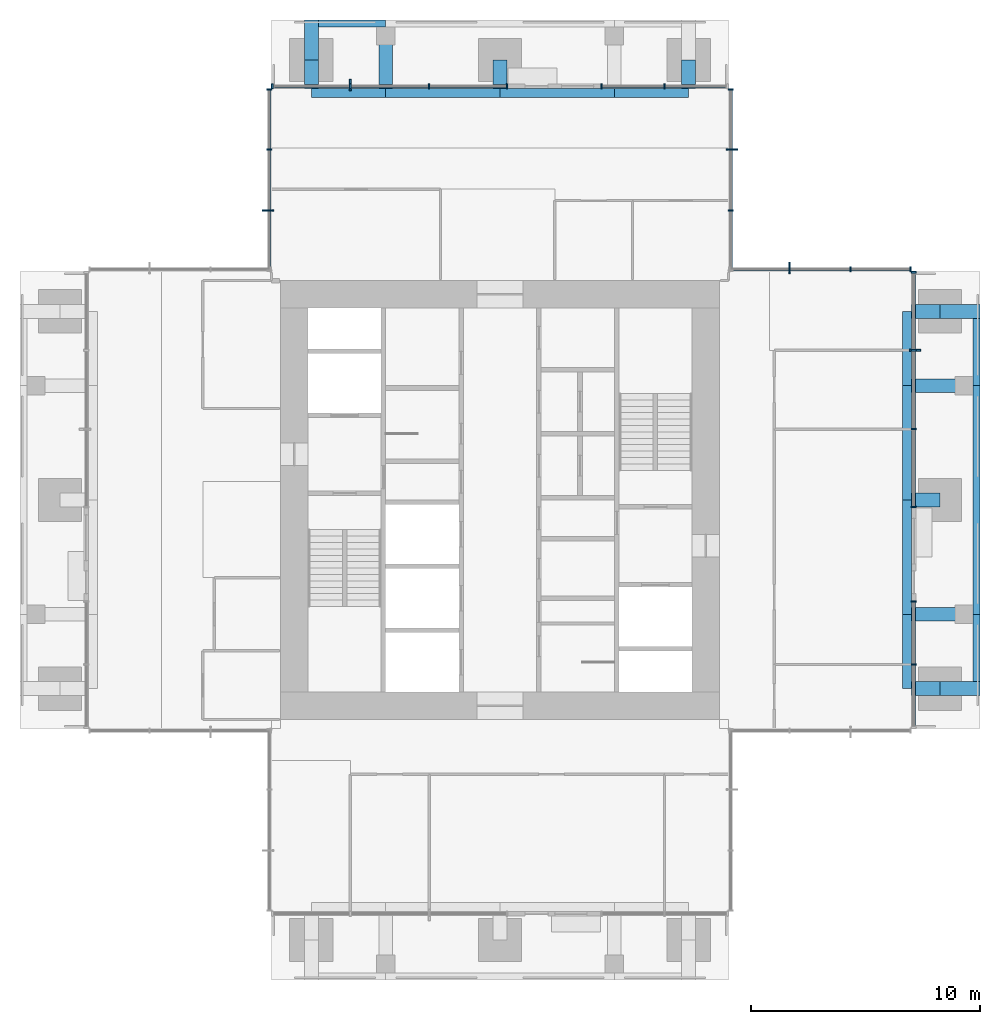
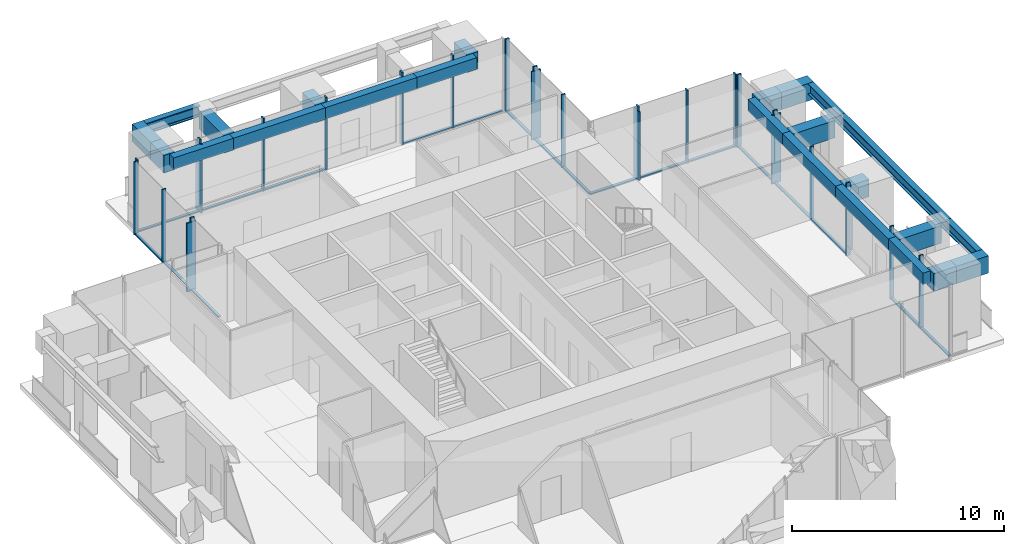
# One storey, part 4 of 12: 45 members, 24 beams, 7 elements without a shape of their own.
"""IFC4 building model written with IfcOpenShell, lengths in metres."""

from ifc_helpers import new_model, si_unit, direction, frame, origin, origin_2d, place, context, subcontext, project, spatial, rectangle, i_section, extrude, material, material_profile, profile_set, type_object, element, aggregate, save


model = new_model("IFC4")

# Units and contexts
model_context = context("Model", 3, precision=1e-05, world=origin(), true_north=direction((0.0, 1.0)))
body_context = subcontext(model_context, "Body", "Model", "MODEL_VIEW")
ifc_project = project(units=[si_unit("LENGTHUNIT", "METRE"), si_unit("AREAUNIT", "SQUARE_METRE"), si_unit("VOLUMEUNIT", "CUBIC_METRE"), si_unit("PLANEANGLEUNIT", "RADIAN"), si_unit("MASSUNIT", "GRAM", prefix="KILO")], contexts=[model_context])

# Site, building, storey
site_placement = place(None, origin())
site = spatial("IfcSite", under=ifc_project, at=site_placement, CompositionType="ELEMENT")
building_placement = place(site_placement, origin())
building = spatial("IfcBuilding", under=site, at=building_placement, Name="Svetlomir Tower", CompositionType="ELEMENT")
storey_placement = place(building_placement, frame((0.0, 0.0, 244.0)))
storey = spatial("IfcBuildingStorey", under=building, at=storey_placement, Name="L58", CompositionType="ELEMENT", Elevation=244.0)

# Curtain wall, member
ifc_material_1 = material(Name="Bronze anodised aluminium curtain wall", Category="aluminium")
curtain_wall_type = type_object("IfcCurtainWallType", Name="CURTAIN WALL CW4 EXECUTIVE", PredefinedType="NOTDEFINED", material=ifc_material_1)
curtain_wall_1_placement = place(storey_placement, origin())
curtain_wall_1 = element("IfcCurtainWall", 1, at=curtain_wall_1_placement, inside=storey, type_object=curtain_wall_type, Name="Curtain wall CW4 L58", PredefinedType="NOTDEFINED")
ifc_material_2 = material(Name="Bronze anodised aluminium", Category="aluminium")
ifc_material_profile_1 = material_profile(ifc_material_2, rectangle(XDim=0.080078125, YDim=0.5, at=origin_2d()), Name="FIN 80x500")
ifc_profile_set_1 = profile_set([ifc_material_profile_1], Name="Bronze anodised aluminium 6063-T6")
member_type_1 = type_object("IfcMemberType", Name="BRONZE FIN 80x500", PredefinedType="USERDEFINED", material=ifc_profile_set_1)
member_1_placement = place(storey_placement, frame((39.14990234375, 27.550048828125, 0.0), z_axis=(0.0, 0.0, 1.0), x_axis=(0.0, 1.0, 0.0)))
member_1 = element("IfcMember", 2, at=member_1_placement, type_object=member_type_1, Name="Bronze fin L58", ObjectType="FIN", PredefinedType="USERDEFINED", context=body_context, shape_type="SweptSolid", body=[
    extrude(rectangle(XDim=0.080078125, YDim=0.5, at=origin_2d()), origin(), (0.0, 0.0, 1.0), 3.949951171875),
])

curtain_wall_2_placement = place(storey_placement, origin())
curtain_wall_2 = element("IfcCurtainWall", 3, at=curtain_wall_2_placement, inside=storey, type_object=curtain_wall_type, Name="Curtain wall CW4 L58", PredefinedType="NOTDEFINED")
member_2_placement = place(storey_placement, frame((33.666748046875, 31.14990234375, 0.0), z_axis=(0.0, 0.0, 1.0), x_axis=(1.0, 0.0, 0.0)))
member_2 = element("IfcMember", 4, at=member_2_placement, type_object=member_type_1, Name="Bronze fin L58", ObjectType="FIN", PredefinedType="USERDEFINED", context=body_context, shape_type="SweptSolid", body=[
    extrude(rectangle(XDim=0.080078125, YDim=0.5, at=origin_2d()), origin(), (0.0, 0.0, 1.0), 3.949951171875),
])

curtain_wall_3_placement = place(storey_placement, origin())
curtain_wall_3 = element("IfcCurtainWall", 5, at=curtain_wall_3_placement, inside=storey, type_object=curtain_wall_type, Name="Curtain wall CW4 L58", PredefinedType="NOTDEFINED")
member_3_placement = place(storey_placement, frame((31.14990234375, 36.333251953125, 0.0), z_axis=(0.0, 0.0, 1.0), x_axis=(0.0, 1.0, 0.0)))
member_3 = element("IfcMember", 6, at=member_3_placement, type_object=member_type_1, Name="Bronze fin L58", ObjectType="FIN", PredefinedType="USERDEFINED", context=body_context, shape_type="SweptSolid", body=[
    extrude(rectangle(XDim=0.080078125, YDim=0.5, at=origin_2d()), origin(), (0.0, 0.0, 1.0), 3.949951171875),
])

curtain_wall_4_placement = place(storey_placement, origin())
curtain_wall_4 = element("IfcCurtainWall", 7, at=curtain_wall_4_placement, inside=storey, type_object=curtain_wall_type, Name="Curtain wall CW4 L58", PredefinedType="NOTDEFINED")
member_4_placement = place(storey_placement, frame((14.449951171875, 39.14990234375, 0.0), z_axis=(0.0, 0.0, 1.0), x_axis=(1.0, 0.0, 0.0)))
member_4 = element("IfcMember", 8, at=member_4_placement, type_object=member_type_1, Name="Bronze fin L58", ObjectType="FIN", PredefinedType="USERDEFINED", context=body_context, shape_type="SweptSolid", body=[
    extrude(rectangle(XDim=0.080078125, YDim=0.5, at=origin_2d()), origin(), (0.0, 0.0, 1.0), 3.949951171875),
])

curtain_wall_5_placement = place(storey_placement, origin())
curtain_wall_5 = element("IfcCurtainWall", 9, at=curtain_wall_5_placement, inside=storey, type_object=curtain_wall_type, Name="Curtain wall CW4 L58", PredefinedType="NOTDEFINED")
member_5_placement = place(storey_placement, frame((10.85009765625, 33.666748046875, 0.0), z_axis=(0.0, 0.0, 1.0), x_axis=(0.0, 1.0, 0.0)))
member_5 = element("IfcMember", 10, at=member_5_placement, type_object=member_type_1, Name="Bronze fin L58", ObjectType="FIN", PredefinedType="USERDEFINED", context=body_context, shape_type="SweptSolid", body=[
    extrude(rectangle(XDim=0.080078125, YDim=0.5, at=origin_2d()), origin(), (0.0, 0.0, 1.0), 3.949951171875),
])

# Curtain wall, members
curtain_wall_6_placement = place(storey_placement, origin())
curtain_wall_6 = element("IfcCurtainWall", 11, at=curtain_wall_6_placement, inside=storey, type_object=curtain_wall_type, Name="Curtain wall CW4 L58", PredefinedType="NOTDEFINED")
ifc_material_3 = material(Name="Bronze anodised aluminium", Category="aluminium")
ifc_material_profile_2 = material_profile(ifc_material_3, rectangle(XDim=0.074951171875, YDim=0.219970703125, at=origin_2d()), Name="AL 75x220")
ifc_profile_set_2 = profile_set([ifc_material_profile_2], Name="Bronze anodised aluminium 6063-T6")
member_type_2 = type_object("IfcMemberType", Name="CW4 MULLION 75x220", PredefinedType="MULLION", material=ifc_profile_set_2)
member_6_placement = place(storey_placement, frame((39.10009765625, 13.800048828125, 0.0), z_axis=(0.0, 0.0, 1.0), x_axis=(0.0, 1.0, 0.0)))
member_6 = element("IfcMember", 12, at=member_6_placement, type_object=member_type_2, Name="CW4 mullion 2", PredefinedType="MULLION", context=body_context, shape_type="SweptSolid", body=[
    extrude(rectangle(XDim=0.074951171875, YDim=0.219970703125, at=origin_2d()), origin(), (0.0, 0.0, 1.0), 4.199951171875),
])
member_7_placement = place(storey_placement, frame((39.10009765625, 16.5625, 0.0), z_axis=(0.0, 0.0, 1.0), x_axis=(0.0, 1.0, 0.0)))
member_7 = element("IfcMember", 13, at=member_7_placement, type_object=member_type_2, Name="CW4 mullion 3", PredefinedType="MULLION", context=body_context, shape_type="SweptSolid", body=[
    extrude(rectangle(XDim=0.074951171875, YDim=0.219970703125, at=origin_2d()), origin(), (0.0, 0.0, 1.0), 4.199951171875),
])

# Member
member_8_placement = place(storey_placement, frame((39.10009765625, 20.6875, 0.0), z_axis=(0.0, 0.0, 1.0), x_axis=(0.0, 1.0, 0.0)))
member_8 = element("IfcMember", 14, at=member_8_placement, type_object=member_type_2, Name="CW4 mullion 1", PredefinedType="MULLION", context=body_context, shape_type="SweptSolid", body=[
    extrude(rectangle(XDim=0.074951171875, YDim=0.219970703125, at=origin_2d()), origin(), (0.0, 0.0, 1.0), 4.199951171875),
])

member_9_placement = place(storey_placement, frame((39.10009765625, 24.10009765625, 0.0), z_axis=(0.0, 0.0, 1.0), x_axis=(0.0, 1.0, 0.0)))
member_9 = element("IfcMember", 15, at=member_9_placement, type_object=member_type_2, Name="CW4 mullion 2", PredefinedType="MULLION", context=body_context, shape_type="SweptSolid", body=[
    extrude(rectangle(XDim=0.074951171875, YDim=0.219970703125, at=origin_2d()), origin(), (0.0, 0.0, 1.0), 4.199951171875),
])

member_10_placement = place(storey_placement, frame((39.10009765625, 27.550048828125, 0.0), z_axis=(0.0, 0.0, 1.0), x_axis=(0.0, 1.0, 0.0)))
member_10 = element("IfcMember", 16, at=member_10_placement, type_object=member_type_2, Name="CW4 mullion 3", PredefinedType="MULLION", context=body_context, shape_type="SweptSolid", body=[
    extrude(rectangle(XDim=0.074951171875, YDim=0.219970703125, at=origin_2d()), origin(), (0.0, 0.0, 1.0), 4.199951171875),
])

member_11_placement = place(storey_placement, frame((39.10009765625, 30.96240234375, 0.0), z_axis=(0.0, 0.0, 1.0), x_axis=(0.0, 1.0, 0.0)))
member_11 = element("IfcMember", 17, at=member_11_placement, type_object=member_type_2, Name="CW4 mullion 4", PredefinedType="MULLION", context=body_context, shape_type="SweptSolid", body=[
    extrude(rectangle(XDim=0.074951171875, YDim=0.219970703125, at=origin_2d()), origin(), (0.0, 0.0, 1.0), 4.199951171875),
])

member_12_placement = place(storey_placement, frame((38.96240234375, 31.10009765625, 0.0), z_axis=(0.0, 0.0, 1.0), x_axis=(-1.0, 0.0, 0.0)))
member_12 = element("IfcMember", 18, at=member_12_placement, type_object=member_type_2, Name="CW4 mullion 1", PredefinedType="MULLION", context=body_context, shape_type="SweptSolid", body=[
    extrude(rectangle(XDim=0.074951171875, YDim=0.219970703125, at=origin_2d()), origin(), (0.0, 0.0, 1.0), 4.199951171875),
])

member_13_placement = place(storey_placement, frame((36.333251953125, 31.10009765625, 0.0), z_axis=(0.0, 0.0, 1.0), x_axis=(-1.0, 0.0, 0.0)))
member_13 = element("IfcMember", 19, at=member_13_placement, type_object=member_type_2, Name="CW4 mullion 2", PredefinedType="MULLION", context=body_context, shape_type="SweptSolid", body=[
    extrude(rectangle(XDim=0.074951171875, YDim=0.219970703125, at=origin_2d()), origin(), (0.0, 0.0, 1.0), 4.199951171875),
])

member_14_placement = place(storey_placement, frame((33.666748046875, 31.10009765625, 0.0), z_axis=(0.0, 0.0, 1.0), x_axis=(-1.0, 0.0, 0.0)))
member_14 = element("IfcMember", 20, at=member_14_placement, type_object=member_type_2, Name="CW4 mullion 3", PredefinedType="MULLION", context=body_context, shape_type="SweptSolid", body=[
    extrude(rectangle(XDim=0.074951171875, YDim=0.219970703125, at=origin_2d()), origin(), (0.0, 0.0, 1.0), 4.199951171875),
])

member_15_placement = place(storey_placement, frame((31.10009765625, 33.666748046875, 0.0), z_axis=(0.0, 0.0, 1.0), x_axis=(0.0, 1.0, 0.0)))
member_15 = element("IfcMember", 21, at=member_15_placement, type_object=member_type_2, Name="CW4 mullion 2", PredefinedType="MULLION", context=body_context, shape_type="SweptSolid", body=[
    extrude(rectangle(XDim=0.074951171875, YDim=0.219970703125, at=origin_2d()), origin(), (0.0, 0.0, 1.0), 4.199951171875),
])

member_16_placement = place(storey_placement, frame((31.10009765625, 36.333251953125, 0.0), z_axis=(0.0, 0.0, 1.0), x_axis=(0.0, 1.0, 0.0)))
member_16 = element("IfcMember", 22, at=member_16_placement, type_object=member_type_2, Name="CW4 mullion 3", PredefinedType="MULLION", context=body_context, shape_type="SweptSolid", body=[
    extrude(rectangle(XDim=0.074951171875, YDim=0.219970703125, at=origin_2d()), origin(), (0.0, 0.0, 1.0), 4.199951171875),
])

member_17_placement = place(storey_placement, frame((31.10009765625, 38.96240234375, 0.0), z_axis=(0.0, 0.0, 1.0), x_axis=(0.0, 1.0, 0.0)))
member_17 = element("IfcMember", 23, at=member_17_placement, type_object=member_type_2, Name="CW4 mullion 4", PredefinedType="MULLION", context=body_context, shape_type="SweptSolid", body=[
    extrude(rectangle(XDim=0.074951171875, YDim=0.219970703125, at=origin_2d()), origin(), (0.0, 0.0, 1.0), 4.199951171875),
])

# Curtain wall, members
curtain_wall_7_placement = place(storey_placement, origin())
curtain_wall_7 = element("IfcCurtainWall", 24, at=curtain_wall_7_placement, inside=storey, type_object=curtain_wall_type, Name="Curtain wall CW4 L58", PredefinedType="NOTDEFINED")
member_18_placement = place(storey_placement, frame((28.199951171875, 39.10009765625, 0.0), z_axis=(0.0, 0.0, 1.0), x_axis=(-1.0, 0.0, 0.0)))
member_18 = element("IfcMember", 25, at=member_18_placement, type_object=member_type_2, Name="CW4 mullion 2", PredefinedType="MULLION", context=body_context, shape_type="SweptSolid", body=[
    extrude(rectangle(XDim=0.074951171875, YDim=0.219970703125, at=origin_2d()), origin(), (0.0, 0.0, 1.0), 4.199951171875),
])
member_19_placement = place(storey_placement, frame((25.4375, 39.10009765625, 0.0), z_axis=(0.0, 0.0, 1.0), x_axis=(-1.0, 0.0, 0.0)))
member_19 = element("IfcMember", 26, at=member_19_placement, type_object=member_type_2, Name="CW4 mullion 3", PredefinedType="MULLION", context=body_context, shape_type="SweptSolid", body=[
    extrude(rectangle(XDim=0.074951171875, YDim=0.219970703125, at=origin_2d()), origin(), (0.0, 0.0, 1.0), 4.199951171875),
])

# Member
member_20_placement = place(storey_placement, frame((21.3125, 39.10009765625, 0.0), z_axis=(0.0, 0.0, 1.0), x_axis=(-1.0, 0.0, 0.0)))
member_20 = element("IfcMember", 27, at=member_20_placement, type_object=member_type_2, Name="CW4 mullion 1", PredefinedType="MULLION", context=body_context, shape_type="SweptSolid", body=[
    extrude(rectangle(XDim=0.074951171875, YDim=0.219970703125, at=origin_2d()), origin(), (0.0, 0.0, 1.0), 4.199951171875),
])

member_21_placement = place(storey_placement, frame((17.89990234375, 39.10009765625, 0.0), z_axis=(0.0, 0.0, 1.0), x_axis=(-1.0, 0.0, 0.0)))
member_21 = element("IfcMember", 28, at=member_21_placement, type_object=member_type_2, Name="CW4 mullion 2", PredefinedType="MULLION", context=body_context, shape_type="SweptSolid", body=[
    extrude(rectangle(XDim=0.074951171875, YDim=0.219970703125, at=origin_2d()), origin(), (0.0, 0.0, 1.0), 4.199951171875),
])

member_22_placement = place(storey_placement, frame((14.449951171875, 39.10009765625, 0.0), z_axis=(0.0, 0.0, 1.0), x_axis=(-1.0, 0.0, 0.0)))
member_22 = element("IfcMember", 29, at=member_22_placement, type_object=member_type_2, Name="CW4 mullion 3", PredefinedType="MULLION", context=body_context, shape_type="SweptSolid", body=[
    extrude(rectangle(XDim=0.074951171875, YDim=0.219970703125, at=origin_2d()), origin(), (0.0, 0.0, 1.0), 4.199951171875),
])

member_23_placement = place(storey_placement, frame((11.03759765625, 39.10009765625, 0.0), z_axis=(0.0, 0.0, 1.0), x_axis=(-1.0, 0.0, 0.0)))
member_23 = element("IfcMember", 30, at=member_23_placement, type_object=member_type_2, Name="CW4 mullion 4", PredefinedType="MULLION", context=body_context, shape_type="SweptSolid", body=[
    extrude(rectangle(XDim=0.074951171875, YDim=0.219970703125, at=origin_2d()), origin(), (0.0, 0.0, 1.0), 4.199951171875),
])

member_24_placement = place(storey_placement, frame((10.89990234375, 38.96240234375, 0.0), z_axis=(0.0, 0.0, 1.0), x_axis=(0.0, -1.0, 0.0)))
member_24 = element("IfcMember", 31, at=member_24_placement, type_object=member_type_2, Name="CW4 mullion 1", PredefinedType="MULLION", context=body_context, shape_type="SweptSolid", body=[
    extrude(rectangle(XDim=0.074951171875, YDim=0.219970703125, at=origin_2d()), origin(), (0.0, 0.0, 1.0), 4.199951171875),
])

member_25_placement = place(storey_placement, frame((10.89990234375, 36.333251953125, 0.0), z_axis=(0.0, 0.0, 1.0), x_axis=(0.0, -1.0, 0.0)))
member_25 = element("IfcMember", 32, at=member_25_placement, type_object=member_type_2, Name="CW4 mullion 2", PredefinedType="MULLION", context=body_context, shape_type="SweptSolid", body=[
    extrude(rectangle(XDim=0.074951171875, YDim=0.219970703125, at=origin_2d()), origin(), (0.0, 0.0, 1.0), 4.199951171875),
])

member_26_placement = place(storey_placement, frame((10.89990234375, 33.666748046875, 0.0), z_axis=(0.0, 0.0, 1.0), x_axis=(0.0, -1.0, 0.0)))
member_26 = element("IfcMember", 33, at=member_26_placement, type_object=member_type_2, Name="CW4 mullion 3", PredefinedType="MULLION", context=body_context, shape_type="SweptSolid", body=[
    extrude(rectangle(XDim=0.074951171875, YDim=0.219970703125, at=origin_2d()), origin(), (0.0, 0.0, 1.0), 4.199951171875),
])

ifc_material_4 = material(Name="Bronze anodised aluminium", Category="aluminium")
ifc_material_profile_3 = material_profile(ifc_material_4, rectangle(XDim=0.14990234375, YDim=0.074951171875, at=origin_2d()), Name="AL 150x75")
ifc_profile_set_3 = profile_set([ifc_material_profile_3], Name="Bronze anodised aluminium 6063-T6")
member_type_3 = type_object("IfcMemberType", Name="CW4 TRANSOM 75x150", PredefinedType="USERDEFINED", material=ifc_profile_set_3)
member_27_placement = place(storey_placement, frame((39.10009765625, 11.074951171875, 0.03759765625), z_axis=(0.0, 1.0, 0.0), x_axis=(-1.0, 0.0, 0.0)))
member_27 = element("IfcMember", 34, at=member_27_placement, type_object=member_type_3, Name="CW4 transom 1.1", ObjectType="TRANSOM", PredefinedType="USERDEFINED", context=body_context, shape_type="SweptSolid", body=[
    extrude(rectangle(XDim=0.14990234375, YDim=0.074951171875, at=origin_2d()), origin(), (0.0, 0.0, 1.0), 2.6875),
])

member_28_placement = place(storey_placement, frame((39.10009765625, 13.83740234375, 0.03759765625), z_axis=(0.0, 1.0, 0.0), x_axis=(-1.0, 0.0, 0.0)))
member_28 = element("IfcMember", 35, at=member_28_placement, type_object=member_type_3, Name="CW4 transom 2.1", ObjectType="TRANSOM", PredefinedType="USERDEFINED", context=body_context, shape_type="SweptSolid", body=[
    extrude(rectangle(XDim=0.14990234375, YDim=0.074951171875, at=origin_2d()), origin(), (0.0, 0.0, 1.0), 2.6875),
])

aggregate(curtain_wall_6, [member_6, member_7, member_27, member_28])

member_29_placement = place(storey_placement, frame((39.10009765625, 20.72509765625, 0.03759765625), z_axis=(0.0, 1.0, 0.0), x_axis=(-1.0, 0.0, 0.0)))
member_29 = element("IfcMember", 36, at=member_29_placement, type_object=member_type_3, Name="CW4 transom 1.1", ObjectType="TRANSOM", PredefinedType="USERDEFINED", context=body_context, shape_type="SweptSolid", body=[
    extrude(rectangle(XDim=0.14990234375, YDim=0.074951171875, at=origin_2d()), origin(), (0.0, 0.0, 1.0), 3.33740234375),
])

member_30_placement = place(storey_placement, frame((39.10009765625, 24.137451171875, 0.03759765625), z_axis=(0.0, 1.0, 0.0), x_axis=(-1.0, 0.0, 0.0)))
member_30 = element("IfcMember", 37, at=member_30_placement, type_object=member_type_3, Name="CW4 transom 2.1", ObjectType="TRANSOM", PredefinedType="USERDEFINED", context=body_context, shape_type="SweptSolid", body=[
    extrude(rectangle(XDim=0.14990234375, YDim=0.074951171875, at=origin_2d()), origin(), (0.0, 0.0, 1.0), 3.375),
])

member_31_placement = place(storey_placement, frame((39.10009765625, 27.58740234375, 0.03759765625), z_axis=(0.0, 1.0, 0.0), x_axis=(-1.0, 0.0, 0.0)))
member_31 = element("IfcMember", 38, at=member_31_placement, type_object=member_type_3, Name="CW4 transom 3.1", ObjectType="TRANSOM", PredefinedType="USERDEFINED", context=body_context, shape_type="SweptSolid", body=[
    extrude(rectangle(XDim=0.14990234375, YDim=0.074951171875, at=origin_2d()), origin(), (0.0, 0.0, 1.0), 3.337646484375),
])

aggregate(curtain_wall_1, [member_8, member_9, member_10, member_11, member_29, member_30, member_31, member_1])

member_32_placement = place(storey_placement, frame((38.925048828125, 31.10009765625, 0.03759765625), z_axis=(-1.0, 0.0, 0.0), x_axis=(0.0, -1.0, 0.0)))
member_32 = element("IfcMember", 39, at=member_32_placement, type_object=member_type_3, Name="CW4 transom 1.1", ObjectType="TRANSOM", PredefinedType="USERDEFINED", context=body_context, shape_type="SweptSolid", body=[
    extrude(rectangle(XDim=0.14990234375, YDim=0.074951171875, at=origin_2d()), origin(), (0.0, 0.0, 1.0), 2.55419921875),
])

member_33_placement = place(storey_placement, frame((36.2958984375, 31.10009765625, 0.03759765625), z_axis=(-1.0, 0.0, 0.0), x_axis=(0.0, -1.0, 0.0)))
member_33 = element("IfcMember", 40, at=member_33_placement, type_object=member_type_3, Name="CW4 transom 2.1", ObjectType="TRANSOM", PredefinedType="USERDEFINED", context=body_context, shape_type="SweptSolid", body=[
    extrude(rectangle(XDim=0.14990234375, YDim=0.074951171875, at=origin_2d()), origin(), (0.0, 0.0, 1.0), 2.591796875),
])

member_34_placement = place(storey_placement, frame((33.629150390625, 31.10009765625, 0.03759765625), z_axis=(-1.0, 0.0, 0.0), x_axis=(0.0, -1.0, 0.0)))
member_34 = element("IfcMember", 41, at=member_34_placement, type_object=member_type_3, Name="CW4 transom 3.1", ObjectType="TRANSOM", PredefinedType="USERDEFINED", context=body_context, shape_type="SweptSolid", body=[
    extrude(rectangle(XDim=0.14990234375, YDim=0.074951171875, at=origin_2d()), origin(), (0.0, 0.0, 1.0), 2.55419921875),
])

aggregate(curtain_wall_2, [member_12, member_13, member_14, member_32, member_33, member_34, member_2])

member_35_placement = place(storey_placement, frame((31.10009765625, 31.074951171875, 0.03759765625), z_axis=(0.0, 1.0, 0.0), x_axis=(-1.0, 0.0, 0.0)))
member_35 = element("IfcMember", 42, at=member_35_placement, type_object=member_type_3, Name="CW4 transom 1.1", ObjectType="TRANSOM", PredefinedType="USERDEFINED", context=body_context, shape_type="SweptSolid", body=[
    extrude(rectangle(XDim=0.14990234375, YDim=0.074951171875, at=origin_2d()), origin(), (0.0, 0.0, 1.0), 2.55419921875),
])

member_36_placement = place(storey_placement, frame((31.10009765625, 33.7041015625, 0.03759765625), z_axis=(0.0, 1.0, 0.0), x_axis=(-1.0, 0.0, 0.0)))
member_36 = element("IfcMember", 43, at=member_36_placement, type_object=member_type_3, Name="CW4 transom 2.1", ObjectType="TRANSOM", PredefinedType="USERDEFINED", context=body_context, shape_type="SweptSolid", body=[
    extrude(rectangle(XDim=0.14990234375, YDim=0.074951171875, at=origin_2d()), origin(), (0.0, 0.0, 1.0), 2.591796875),
])

member_37_placement = place(storey_placement, frame((31.10009765625, 36.370849609375, 0.03759765625), z_axis=(0.0, 1.0, 0.0), x_axis=(-1.0, 0.0, 0.0)))
member_37 = element("IfcMember", 44, at=member_37_placement, type_object=member_type_3, Name="CW4 transom 3.1", ObjectType="TRANSOM", PredefinedType="USERDEFINED", context=body_context, shape_type="SweptSolid", body=[
    extrude(rectangle(XDim=0.14990234375, YDim=0.074951171875, at=origin_2d()), origin(), (0.0, 0.0, 1.0), 2.55419921875),
])

aggregate(curtain_wall_3, [member_15, member_16, member_17, member_35, member_36, member_37, member_3])

member_38_placement = place(storey_placement, frame((30.925048828125, 39.10009765625, 0.03759765625), z_axis=(-1.0, 0.0, 0.0), x_axis=(0.0, -1.0, 0.0)))
member_38 = element("IfcMember", 45, at=member_38_placement, type_object=member_type_3, Name="CW4 transom 1.1", ObjectType="TRANSOM", PredefinedType="USERDEFINED", context=body_context, shape_type="SweptSolid", body=[
    extrude(rectangle(XDim=0.14990234375, YDim=0.074951171875, at=origin_2d()), origin(), (0.0, 0.0, 1.0), 2.6875),
])

member_39_placement = place(storey_placement, frame((28.16259765625, 39.10009765625, 0.03759765625), z_axis=(-1.0, 0.0, 0.0), x_axis=(0.0, -1.0, 0.0)))
member_39 = element("IfcMember", 46, at=member_39_placement, type_object=member_type_3, Name="CW4 transom 2.1", ObjectType="TRANSOM", PredefinedType="USERDEFINED", context=body_context, shape_type="SweptSolid", body=[
    extrude(rectangle(XDim=0.14990234375, YDim=0.074951171875, at=origin_2d()), origin(), (0.0, 0.0, 1.0), 2.6875),
])

aggregate(curtain_wall_7, [member_18, member_19, member_38, member_39])

member_40_placement = place(storey_placement, frame((21.27490234375, 39.10009765625, 0.03759765625), z_axis=(-1.0, 0.0, 0.0), x_axis=(0.0, -1.0, 0.0)))
member_40 = element("IfcMember", 47, at=member_40_placement, type_object=member_type_3, Name="CW4 transom 1.1", ObjectType="TRANSOM", PredefinedType="USERDEFINED", context=body_context, shape_type="SweptSolid", body=[
    extrude(rectangle(XDim=0.14990234375, YDim=0.074951171875, at=origin_2d()), origin(), (0.0, 0.0, 1.0), 3.33740234375),
])

member_41_placement = place(storey_placement, frame((17.862548828125, 39.10009765625, 0.03759765625), z_axis=(-1.0, 0.0, 0.0), x_axis=(0.0, -1.0, 0.0)))
member_41 = element("IfcMember", 48, at=member_41_placement, type_object=member_type_3, Name="CW4 transom 2.1", ObjectType="TRANSOM", PredefinedType="USERDEFINED", context=body_context, shape_type="SweptSolid", body=[
    extrude(rectangle(XDim=0.14990234375, YDim=0.074951171875, at=origin_2d()), origin(), (0.0, 0.0, 1.0), 3.375),
])

member_42_placement = place(storey_placement, frame((14.41259765625, 39.10009765625, 0.03759765625), z_axis=(-1.0, 0.0, 0.0), x_axis=(0.0, -1.0, 0.0)))
member_42 = element("IfcMember", 49, at=member_42_placement, type_object=member_type_3, Name="CW4 transom 3.1", ObjectType="TRANSOM", PredefinedType="USERDEFINED", context=body_context, shape_type="SweptSolid", body=[
    extrude(rectangle(XDim=0.14990234375, YDim=0.074951171875, at=origin_2d()), origin(), (0.0, 0.0, 1.0), 3.337646484375),
])

aggregate(curtain_wall_4, [member_20, member_21, member_22, member_23, member_40, member_41, member_42, member_4])

member_43_placement = place(storey_placement, frame((10.89990234375, 38.925048828125, 0.03759765625), z_axis=(0.0, -1.0, 0.0), x_axis=(1.0, 0.0, 0.0)))
member_43 = element("IfcMember", 50, at=member_43_placement, type_object=member_type_3, Name="CW4 transom 1.1", ObjectType="TRANSOM", PredefinedType="USERDEFINED", context=body_context, shape_type="SweptSolid", body=[
    extrude(rectangle(XDim=0.14990234375, YDim=0.074951171875, at=origin_2d()), origin(), (0.0, 0.0, 1.0), 2.55419921875),
])

member_44_placement = place(storey_placement, frame((10.89990234375, 36.2958984375, 0.03759765625), z_axis=(0.0, -1.0, 0.0), x_axis=(1.0, 0.0, 0.0)))
member_44 = element("IfcMember", 51, at=member_44_placement, type_object=member_type_3, Name="CW4 transom 2.1", ObjectType="TRANSOM", PredefinedType="USERDEFINED", context=body_context, shape_type="SweptSolid", body=[
    extrude(rectangle(XDim=0.14990234375, YDim=0.074951171875, at=origin_2d()), origin(), (0.0, 0.0, 1.0), 2.591796875),
])

member_45_placement = place(storey_placement, frame((10.89990234375, 33.629150390625, 0.03759765625), z_axis=(0.0, -1.0, 0.0), x_axis=(1.0, 0.0, 0.0)))
member_45 = element("IfcMember", 52, at=member_45_placement, type_object=member_type_3, Name="CW4 transom 3.1", ObjectType="TRANSOM", PredefinedType="USERDEFINED", context=body_context, shape_type="SweptSolid", body=[
    extrude(rectangle(XDim=0.14990234375, YDim=0.074951171875, at=origin_2d()), origin(), (0.0, 0.0, 1.0), 2.55419921875),
])

aggregate(curtain_wall_5, [member_24, member_25, member_26, member_43, member_44, member_45, member_5])

# Beams
ifc_material_5 = material(Name="Steel S355", Category="steel")
ifc_material_profile_4 = material_profile(ifc_material_5, i_section(OverallWidth=0.304931640625, OverallDepth=0.6201171875, WebThickness=0.02099609375, FlangeThickness=0.0400390625, FilletRadius=0.027099609375, at=origin_2d()), Name="HEM 600")
ifc_profile_set_4 = profile_set([ifc_material_profile_4], Name="Steel S355")
beam_type_1 = type_object("IfcBeamType", Name="EDGE BEAM HEM 600", PredefinedType="SPANDREL", material=ifc_profile_set_4)
for number, where, z_axis, x_axis, name in (
    (53, (41.847412109375, 13.050048828125, 3.639892578125), (0.0, 1.0, 0.0), (-1.0, 0.0, 0.0), "Edge beam 42/11 to 42/16 under L59"),
    (54, (13.050048828125, 41.847412109375, 3.639892578125), (1.0, 0.0, 0.0), (0.0, 1.0, 0.0), "Edge beam 11/42 to 16/42 under L59"),
):
    element("IfcBeam", number, at=place(storey_placement, frame(where, z_axis=z_axis, x_axis=x_axis)), inside=storey, type_object=beam_type_1, Name=name, PredefinedType="SPANDREL", context=body_context, shape_type="SweptSolid", body=[
        extrude(i_section(OverallWidth=0.304931640625, OverallDepth=0.6201171875, WebThickness=0.02099609375, FlangeThickness=0.0400390625, FilletRadius=0.027099609375, at=origin_2d()), origin(), (0.0, 0.0, 1.0), 2.949951171875),
    ])
beam_1_placement = place(storey_placement, frame((41.847412109375, 16.0, 3.639892578125), z_axis=(0.0, 1.0, 0.0), x_axis=(-1.0, 0.0, 0.0)))
element("IfcBeam", 55, at=beam_1_placement, inside=storey, type_object=beam_type_1, Name="Edge beam 42/16 to 42/26 under L59", PredefinedType="SPANDREL", context=body_context, shape_type="SweptSolid", body=[
    extrude(i_section(OverallWidth=0.304931640625, OverallDepth=0.6201171875, WebThickness=0.02099609375, FlangeThickness=0.0400390625, FilletRadius=0.027099609375, at=origin_2d()), origin(), (0.0, 0.0, 1.0), 10.0),
])
beam_2_placement = place(storey_placement, frame((41.847412109375, 26.0, 3.639892578125), z_axis=(0.0, 1.0, 0.0), x_axis=(-1.0, 0.0, 0.0)))
element("IfcBeam", 56, at=beam_2_placement, inside=storey, type_object=beam_type_1, Name="Edge beam 42/26 to 42/31 under L59", PredefinedType="SPANDREL", context=body_context, shape_type="SweptSolid", body=[
    extrude(i_section(OverallWidth=0.304931640625, OverallDepth=0.6201171875, WebThickness=0.02099609375, FlangeThickness=0.0400390625, FilletRadius=0.027099609375, at=origin_2d()), origin(), (0.0, 0.0, 1.0), 2.949951171875),
])
ifc_material_6 = material(Name="Concrete C60/75", Category="concrete")
ifc_material_profile_5 = material_profile(ifc_material_6, rectangle(XDim=0.60009765625, YDim=1.0, at=origin_2d()), Name="RC 600x1000")
ifc_profile_set_5 = profile_set([ifc_material_profile_5], Name="Concrete C60/75")
beam_type_2 = type_object("IfcBeamType", Name="EDGE LINK BEAM RC 600x1000", PredefinedType="BEAM", material=ifc_profile_set_5)
for number, where, z_axis, x_axis, name in (
    (57, (12.75, 40.25, 3.449951171875), (0.0, 1.0, 0.0), (-1.0, 0.0, 0.0), "Edge link beam N 11/42 under L59"),
    (58, (40.25, 12.75, 3.449951171875), (1.0, 0.0, 0.0), (0.0, 1.0, 0.0), "Edge link beam E 42/11 under L59"),
    (59, (40.25, 29.25, 3.449951171875), (1.0, 0.0, 0.0), (0.0, 1.0, 0.0), "Edge link beam E 42/31 under L59"),
):
    element("IfcBeam", number, at=place(storey_placement, frame(where, z_axis=z_axis, x_axis=x_axis)), inside=storey, type_object=beam_type_2, Name=name, PredefinedType="BEAM", context=body_context, shape_type="SweptSolid", body=[
        extrude(rectangle(XDim=0.60009765625, YDim=1.0, at=origin_2d()), origin(), (0.0, 0.0, 1.0), 1.75),
    ])
ifc_material_7 = material(Name="Concrete C60/75", Category="concrete")
ifc_material_profile_6 = material_profile(ifc_material_7, rectangle(XDim=0.39990234375, YDim=0.64990234375, at=origin_2d()), Name="RC 400x650")
ifc_profile_set_6 = profile_set([ifc_material_profile_6], Name="Concrete C60/75")
beam_type_3 = type_object("IfcBeamType", Name="FACADE EDGE BEAM RC 400x650", PredefinedType="BEAM", material=ifc_profile_set_6)
beam_3_placement = place(storey_placement, frame((12.75, 38.800048828125, 3.625), z_axis=(1.0, 0.0, 0.0), x_axis=(0.0, 1.0, 0.0)))
element("IfcBeam", 60, at=beam_3_placement, inside=storey, type_object=beam_type_3, Name="Facade edge beam N 11 to 16 under L59", PredefinedType="BEAM", context=body_context, shape_type="SweptSolid", body=[
    extrude(rectangle(XDim=0.39990234375, YDim=0.64990234375, at=origin_2d()), origin(), (0.0, 0.0, 1.0), 3.25),
])
for number, where, z_axis, x_axis, name in (
    (61, (16.0, 38.800048828125, 3.625), (1.0, 0.0, 0.0), (0.0, 1.0, 0.0), "Facade edge beam N 16 to 21 under L59"),
    (62, (21.0, 38.800048828125, 3.625), (1.0, 0.0, 0.0), (0.0, 1.0, 0.0), "Facade edge beam N 21 to 26 under L59"),
):
    element("IfcBeam", number, at=place(storey_placement, frame(where, z_axis=z_axis, x_axis=x_axis)), inside=storey, type_object=beam_type_3, Name=name, PredefinedType="BEAM", context=body_context, shape_type="SweptSolid", body=[
        extrude(rectangle(XDim=0.39990234375, YDim=0.64990234375, at=origin_2d()), origin(), (0.0, 0.0, 1.0), 5.0),
    ])
for number, where, z_axis, x_axis, name in (
    (63, (26.0, 38.800048828125, 3.625), (1.0, 0.0, 0.0), (0.0, 1.0, 0.0), "Facade edge beam N 26 to 31 under L59"),
    (64, (38.800048828125, 12.75, 3.625), (0.0, 1.0, 0.0), (-1.0, 0.0, 0.0), "Facade edge beam E 11 to 16 under L59"),
):
    element("IfcBeam", number, at=place(storey_placement, frame(where, z_axis=z_axis, x_axis=x_axis)), inside=storey, type_object=beam_type_3, Name=name, PredefinedType="BEAM", context=body_context, shape_type="SweptSolid", body=[
        extrude(rectangle(XDim=0.39990234375, YDim=0.64990234375, at=origin_2d()), origin(), (0.0, 0.0, 1.0), 3.25),
    ])
for number, where, z_axis, x_axis, name in (
    (65, (38.800048828125, 16.0, 3.625), (0.0, 1.0, 0.0), (-1.0, 0.0, 0.0), "Facade edge beam E 16 to 21 under L59"),
    (66, (38.800048828125, 21.0, 3.625), (0.0, 1.0, 0.0), (-1.0, 0.0, 0.0), "Facade edge beam E 21 to 26 under L59"),
):
    element("IfcBeam", number, at=place(storey_placement, frame(where, z_axis=z_axis, x_axis=x_axis)), inside=storey, type_object=beam_type_3, Name=name, PredefinedType="BEAM", context=body_context, shape_type="SweptSolid", body=[
        extrude(rectangle(XDim=0.39990234375, YDim=0.64990234375, at=origin_2d()), origin(), (0.0, 0.0, 1.0), 5.0),
    ])
beam_4_placement = place(storey_placement, frame((38.800048828125, 26.0, 3.625), z_axis=(0.0, 1.0, 0.0), x_axis=(-1.0, 0.0, 0.0)))
element("IfcBeam", 67, at=beam_4_placement, inside=storey, type_object=beam_type_3, Name="Facade edge beam E 26 to 31 under L59", PredefinedType="BEAM", context=body_context, shape_type="SweptSolid", body=[
    extrude(rectangle(XDim=0.39990234375, YDim=0.64990234375, at=origin_2d()), origin(), (0.0, 0.0, 1.0), 3.25),
])
ifc_material_8 = material(Name="Concrete C60/75", Category="concrete")
ifc_material_profile_7 = material_profile(ifc_material_8, rectangle(XDim=0.60009765625, YDim=1.0, at=origin_2d()), Name="RC 600x1000")
ifc_profile_set_7 = profile_set([ifc_material_profile_7], Name="Concrete C60/75")
beam_type_4 = type_object("IfcBeamType", Name="LOGGIA LINK BEAM RC 600x1000", PredefinedType="BEAM", material=ifc_profile_set_7)
beam_5_placement = place(storey_placement, frame((12.75, 40.25, 3.449951171875), z_axis=(0.0, -1.0, 0.0), x_axis=(1.0, 0.0, 0.0)))
element("IfcBeam", 68, at=beam_5_placement, inside=storey, type_object=beam_type_4, Name="Loggia link beam N 11 under L59", PredefinedType="BEAM", context=body_context, shape_type="SweptSolid", body=[
    extrude(rectangle(XDim=0.60009765625, YDim=1.0, at=origin_2d()), origin(), (0.0, 0.0, 1.0), 1.25),
])
beam_6_placement = place(storey_placement, frame((16.0, 41.300048828125, 3.449951171875), z_axis=(0.0, -1.0, 0.0), x_axis=(1.0, 0.0, 0.0)))
element("IfcBeam", 69, at=beam_6_placement, inside=storey, type_object=beam_type_4, Name="Loggia link beam N 16 under L59", PredefinedType="BEAM", context=body_context, shape_type="SweptSolid", body=[
    extrude(rectangle(XDim=0.60009765625, YDim=1.0, at=origin_2d()), origin(), (0.0, 0.0, 1.0), 2.300048828125),
])
for number, where, z_axis, x_axis, name in (
    (70, (21.0, 40.25, 3.449951171875), (0.0, -1.0, 0.0), (1.0, 0.0, 0.0), "Loggia link beam N 21 under L59"),
    (71, (29.25, 40.25, 3.449951171875), (0.0, -1.0, 0.0), (1.0, 0.0, 0.0), "Loggia link beam N 31 under L59"),
    (72, (40.25, 12.75, 3.449951171875), (-1.0, 0.0, 0.0), (0.0, -1.0, 0.0), "Loggia link beam E 11 under L59"),
):
    element("IfcBeam", number, at=place(storey_placement, frame(where, z_axis=z_axis, x_axis=x_axis)), inside=storey, type_object=beam_type_4, Name=name, PredefinedType="BEAM", context=body_context, shape_type="SweptSolid", body=[
        extrude(rectangle(XDim=0.60009765625, YDim=1.0, at=origin_2d()), origin(), (0.0, 0.0, 1.0), 1.25),
    ])
beam_7_placement = place(storey_placement, frame((41.300048828125, 16.0, 3.449951171875), z_axis=(-1.0, 0.0, 0.0), x_axis=(0.0, -1.0, 0.0)))
element("IfcBeam", 73, at=beam_7_placement, inside=storey, type_object=beam_type_4, Name="Loggia link beam E 16 under L59", PredefinedType="BEAM", context=body_context, shape_type="SweptSolid", body=[
    extrude(rectangle(XDim=0.60009765625, YDim=1.0, at=origin_2d()), origin(), (0.0, 0.0, 1.0), 2.300048828125),
])
beam_8_placement = place(storey_placement, frame((40.25, 21.0, 3.449951171875), z_axis=(-1.0, 0.0, 0.0), x_axis=(0.0, -1.0, 0.0)))
element("IfcBeam", 74, at=beam_8_placement, inside=storey, type_object=beam_type_4, Name="Loggia link beam E 21 under L59", PredefinedType="BEAM", context=body_context, shape_type="SweptSolid", body=[
    extrude(rectangle(XDim=0.60009765625, YDim=1.0, at=origin_2d()), origin(), (0.0, 0.0, 1.0), 1.25),
])
beam_9_placement = place(storey_placement, frame((41.300048828125, 26.0, 3.449951171875), z_axis=(-1.0, 0.0, 0.0), x_axis=(0.0, -1.0, 0.0)))
element("IfcBeam", 75, at=beam_9_placement, inside=storey, type_object=beam_type_4, Name="Loggia link beam E 26 under L59", PredefinedType="BEAM", context=body_context, shape_type="SweptSolid", body=[
    extrude(rectangle(XDim=0.60009765625, YDim=1.0, at=origin_2d()), origin(), (0.0, 0.0, 1.0), 2.300048828125),
])
beam_10_placement = place(storey_placement, frame((40.25, 29.25, 3.449951171875), z_axis=(-1.0, 0.0, 0.0), x_axis=(0.0, -1.0, 0.0)))
element("IfcBeam", 76, at=beam_10_placement, inside=storey, type_object=beam_type_4, Name="Loggia link beam E 31 under L59", PredefinedType="BEAM", context=body_context, shape_type="SweptSolid", body=[
    extrude(rectangle(XDim=0.60009765625, YDim=1.0, at=origin_2d()), origin(), (0.0, 0.0, 1.0), 1.25),
])

save(model, "model.ifc")
